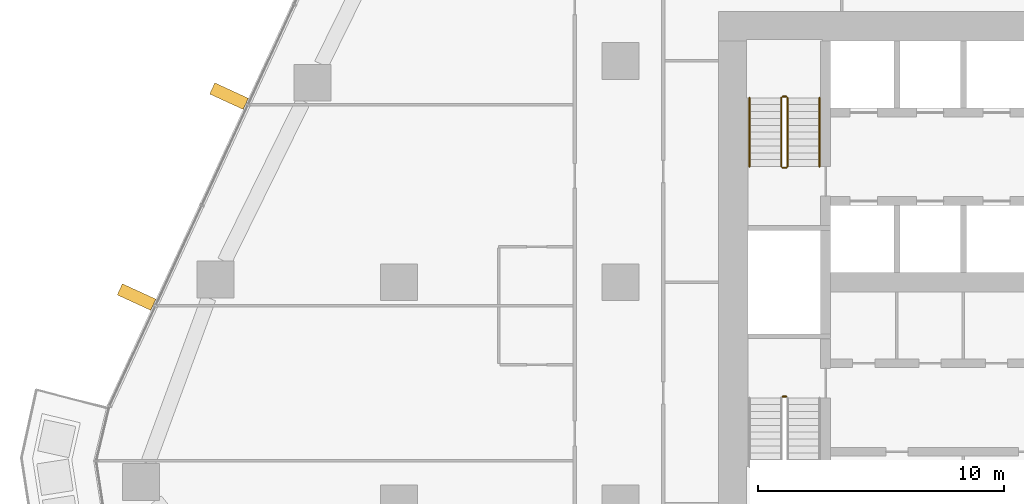
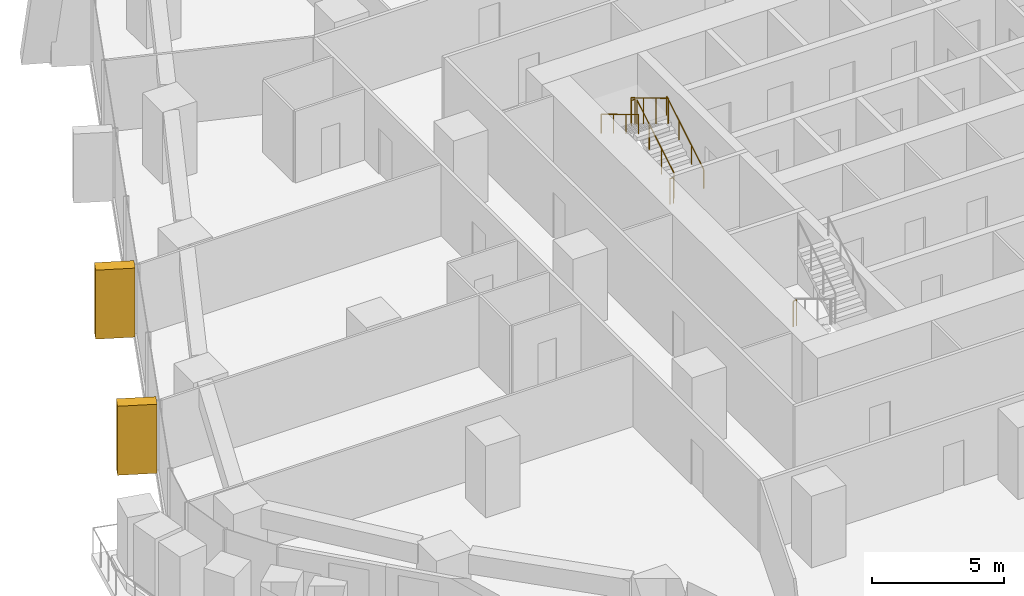
# One storey, part 23 of 26: 7 railings, 2 coverings, 1 element without a shape of its own.
"""IFC4 building model written with IfcOpenShell, lengths in metres."""

from ifc_helpers import new_model, si_unit, direction, frame, origin, origin_2d, place, context, subcontext, project, spatial, rectangle, circle, extrude, material, layer, layer_set, material_profile, profile_set, type_object, element, aggregate, save


model = new_model("IFC4")

# Units and contexts
model_context = context("Model", 3, precision=1e-05, world=origin(), true_north=direction((0.0, 1.0)))
body_context = subcontext(model_context, "Body", "Model", "MODEL_VIEW")
ifc_project = project(units=[si_unit("LENGTHUNIT", "METRE"), si_unit("AREAUNIT", "SQUARE_METRE"), si_unit("VOLUMEUNIT", "CUBIC_METRE"), si_unit("PLANEANGLEUNIT", "RADIAN"), si_unit("MASSUNIT", "GRAM", prefix="KILO")], contexts=[model_context])

# Site, building, storey
site_placement = place(None, origin())
site = spatial("IfcSite", under=ifc_project, at=site_placement, CompositionType="ELEMENT")
building_placement = place(site_placement, origin())
building = spatial("IfcBuilding", under=site, at=building_placement, Name="Dongbaek Canopy Tower", CompositionType="ELEMENT")
storey_placement = place(building_placement, frame((0.0, 0.0, 73.60009765625)))
storey = spatial("IfcBuildingStorey", under=building, at=storey_placement, Name="L14", CompositionType="ELEMENT", Elevation=73.60009765625)

# Curtain wall, coverings
ifc_material_1 = material(Name="Aluminium 6063-T6 pale anodised", Category="aluminium")
ifc_layer = layer(ifc_material_1, 0.199951171875)
ifc_layer_set = layer_set([ifc_layer], Name="CW-1 unitised tower curtain wall")
curtain_wall_type = type_object("IfcCurtainWallType", Name="CW-1 unitised tower curtain wall", PredefinedType="NOTDEFINED", material=ifc_layer_set)
curtain_wall_placement = place(storey_placement, origin())
curtain_wall = element("IfcCurtainWall", 1, at=curtain_wall_placement, inside=storey, type_object=curtain_wall_type, Name="CW-1 curtain wall F2.1", PredefinedType="NOTDEFINED")
ifc_material_2 = material(Name="Aluminium 6063-T6 pale metal fin", Category="aluminium")
ifc_material_profile = material_profile(ifc_material_2, rectangle(XDim=1.5, YDim=0.5, at=origin_2d()), Name="Fin FN1 500 x 1500 pale metal")
ifc_profile_set = profile_set([ifc_material_profile], Name="Aluminium 6063-T6 pale metal fin")
covering_type = type_object("IfcCoveringType", Name="Fin FN1 500 x 1500 pale metal", PredefinedType="CLADDING", material=ifc_profile_set)
covering_1_placement = place(storey_placement, frame((-33.913818359375, 7.56591796875, 0.119873046875), z_axis=(0.0, 0.0, 1.0), x_axis=(-0.908435687115, 0.418024643264, 0.0)))
covering_1 = element("IfcCovering", 2, at=covering_1_placement, type_object=covering_type, Name="Fin F2.1.7", PredefinedType="CLADDING", context=body_context, shape_type="SweptSolid", body=[
    extrude(rectangle(XDim=1.5, YDim=0.5, at=origin_2d()), origin(), (0.0, 0.0, 1.0), 3.179931640625),
])
covering_2_placement = place(storey_placement, frame((-37.67333984375, -0.603759765625, 0.119873046875), z_axis=(0.0, 0.0, 1.0), x_axis=(-0.908435687115, 0.418024643264, 0.0)))
covering_2 = element("IfcCovering", 3, at=covering_2_placement, type_object=covering_type, Name="Fin F2.1.9", PredefinedType="CLADDING", context=body_context, shape_type="SweptSolid", body=[
    extrude(rectangle(XDim=1.5, YDim=0.5, at=origin_2d()), origin(), (0.0, 0.0, 1.0), 3.179931640625),
])
aggregate(curtain_wall, [covering_1, covering_2])

# Railings
ifc_material_3 = material(Name="Stainless steel tube and balusters", Category="steel")
railing_type_1 = type_object("IfcRailingType", Name="Stair guard 1200", PredefinedType="GUARDRAIL", material=ifc_material_3)
railing_1_placement = place(storey_placement, frame((-11.199951171875, 4.699951171875, 0.16796875)))
element("IfcRailing", 4, at=railing_1_placement, inside=storey, type_object=railing_type_1, Name="L14 ST-C stair guard 1", PredefinedType="GUARDRAIL", context=body_context, shape_type="SweptSolid", body=[
    extrude(circle(Radius=0.02392578125, at=origin_2d()), frame((0.0, 0.0, 1.17578125), z_axis=(0.0, 0.857242210791, 0.514913383045), x_axis=(-1.0, 0.0, 0.0)), (0.0, 0.0, 1.0), 3.266357421875),
    extrude(circle(Radius=0.02099609375, at=origin_2d()), origin(), (0.0, 0.0, 1.0), 1.15185546875),
    extrude(circle(Radius=0.02099609375, at=origin_2d()), frame((0.0, 0.933349609375, 0.560546875)), (0.0, 0.0, 1.0), 1.15185546875),
    extrude(circle(Radius=0.02099609375, at=origin_2d()), frame((0.0, 1.86669921875, 1.121337890625)), (0.0, 0.0, 1.0), 1.15185546875),
    extrude(circle(Radius=0.02099609375, at=origin_2d()), frame((0.0, 2.800048828125, 1.681884765625)), (0.0, 0.0, 1.0), 1.15185546875),
])
railing_2_placement = place(storey_placement, frame((-11.25, 7.550048828125, 1.849853515625)))
element("IfcRailing", 5, at=railing_2_placement, inside=storey, type_object=railing_type_1, Name="L14 ST-C stair guard 2", PredefinedType="GUARDRAIL", context=body_context, shape_type="SweptSolid", body=[
    extrude(circle(Radius=0.02392578125, at=origin_2d()), frame((0.0, 0.0, 1.17578125), z_axis=(-1.0, 0.0, 0.0), x_axis=(0.0, -1.0, 0.0)), (0.0, 0.0, 1.0), 0.14990234375),
    extrude(circle(Radius=0.02099609375, at=origin_2d()), origin(), (0.0, 0.0, 1.0), 1.15185546875),
    extrude(circle(Radius=0.02099609375, at=origin_2d()), frame((-0.14990234375, 0.0, 0.0)), (0.0, 0.0, 1.0), 1.15185546875),
])
railing_3_placement = place(storey_placement, frame((-11.449951171875, 7.5, 2.01806640625)))
element("IfcRailing", 6, at=railing_3_placement, inside=storey, type_object=railing_type_1, Name="L14 ST-C stair guard 3", PredefinedType="GUARDRAIL", context=body_context, shape_type="SweptSolid", body=[
    extrude(circle(Radius=0.02392578125, at=origin_2d()), frame((0.0, 0.0, 1.17578125), z_axis=(0.0, -0.857242210791, 0.514913383045), x_axis=(1.0, 0.0, 0.0)), (0.0, 0.0, 1.0), 3.266357421875),
    extrude(circle(Radius=0.02099609375, at=origin_2d()), origin(), (0.0, 0.0, 1.0), 1.15185546875),
    extrude(circle(Radius=0.02099609375, at=origin_2d()), frame((0.0, -0.933349609375, 0.560546875)), (0.0, 0.0, 1.0), 1.15185546875),
    extrude(circle(Radius=0.02099609375, at=origin_2d()), frame((0.0, -1.86669921875, 1.121337890625)), (0.0, 0.0, 1.0), 1.15185546875),
    extrude(circle(Radius=0.02099609375, at=origin_2d()), frame((0.0, -2.800048828125, 1.681884765625)), (0.0, 0.0, 1.0), 1.15185546875),
])
railing_4_placement = place(storey_placement, frame((-11.25, 4.64990234375, 0.0)))
element("IfcRailing", 7, at=railing_4_placement, inside=storey, type_object=railing_type_1, Name="L14 ST-C stair guard 4", PredefinedType="GUARDRAIL", context=body_context, shape_type="SweptSolid", body=[
    extrude(circle(Radius=0.02392578125, at=origin_2d()), frame((0.0, 0.0, 1.17578125), z_axis=(-1.0, 0.0, 0.0), x_axis=(0.0, -1.0, 0.0)), (0.0, 0.0, 1.0), 0.14990234375),
    extrude(circle(Radius=0.02099609375, at=origin_2d()), origin(), (0.0, 0.0, 1.0), 1.15185546875),
    extrude(circle(Radius=0.02099609375, at=origin_2d()), frame((-0.14990234375, 0.0, 0.0)), (0.0, 0.0, 1.0), 1.15185546875),
])
railing_5_placement = place(storey_placement, frame((-11.39990234375, -4.64990234375, 0.0)))
element("IfcRailing", 8, at=railing_5_placement, inside=storey, type_object=railing_type_1, Name="L14 ST-D stair guard 4", PredefinedType="GUARDRAIL", context=body_context, shape_type="SweptSolid", body=[
    extrude(circle(Radius=0.02392578125, at=origin_2d()), frame((0.0, 0.0, 1.17578125), z_axis=(1.0, 0.0, 0.0), x_axis=(0.0, 1.0, 0.0)), (0.0, 0.0, 1.0), 0.14990234375),
    extrude(circle(Radius=0.02099609375, at=origin_2d()), origin(), (0.0, 0.0, 1.0), 1.15185546875),
    extrude(circle(Radius=0.02099609375, at=origin_2d()), frame((0.14990234375, 0.0, 0.0)), (0.0, 0.0, 1.0), 1.15185546875),
])
ifc_material_4 = material(Name="Stainless steel tube", Category="steel")
railing_type_2 = type_object("IfcRailingType", Name="Stair handrail 900", PredefinedType="HANDRAIL", material=ifc_material_4)
railing_6_placement = place(storey_placement, frame((-9.89990234375, 4.699951171875, 0.16796875)))
element("IfcRailing", 9, at=railing_6_placement, inside=storey, type_object=railing_type_2, Name="L14 ST-C stair handrail 1", PredefinedType="HANDRAIL", context=body_context, shape_type="SweptSolid", body=[
    extrude(circle(Radius=0.02392578125, at=origin_2d()), frame((0.0, 0.0, 0.8759765625), z_axis=(0.0, 0.857242210791, 0.514913383045), x_axis=(-1.0, 0.0, 0.0)), (0.0, 0.0, 1.0), 3.266357421875),
    extrude(circle(Radius=0.02099609375, at=origin_2d()), origin(), (0.0, 0.0, 1.0), 0.851806640625),
    extrude(circle(Radius=0.02099609375, at=origin_2d()), frame((0.0, 0.933349609375, 0.560546875)), (0.0, 0.0, 1.0), 0.851806640625),
    extrude(circle(Radius=0.02099609375, at=origin_2d()), frame((0.0, 1.86669921875, 1.121337890625)), (0.0, 0.0, 1.0), 0.851806640625),
    extrude(circle(Radius=0.02099609375, at=origin_2d()), frame((0.0, 2.800048828125, 1.681884765625)), (0.0, 0.0, 1.0), 0.851806640625),
])
railing_7_placement = place(storey_placement, frame((-12.75, 7.5, 2.01806640625)))
element("IfcRailing", 10, at=railing_7_placement, inside=storey, type_object=railing_type_2, Name="L14 ST-C stair handrail 2", PredefinedType="HANDRAIL", context=body_context, shape_type="SweptSolid", body=[
    extrude(circle(Radius=0.02392578125, at=origin_2d()), frame((0.0, 0.0, 0.8759765625), z_axis=(0.0, -0.857242210791, 0.514913383045), x_axis=(1.0, 0.0, 0.0)), (0.0, 0.0, 1.0), 3.266357421875),
    extrude(circle(Radius=0.02099609375, at=origin_2d()), origin(), (0.0, 0.0, 1.0), 0.851806640625),
    extrude(circle(Radius=0.02099609375, at=origin_2d()), frame((0.0, -0.933349609375, 0.560546875)), (0.0, 0.0, 1.0), 0.851806640625),
    extrude(circle(Radius=0.02099609375, at=origin_2d()), frame((0.0, -1.86669921875, 1.121337890625)), (0.0, 0.0, 1.0), 0.851806640625),
    extrude(circle(Radius=0.02099609375, at=origin_2d()), frame((0.0, -2.800048828125, 1.681884765625)), (0.0, 0.0, 1.0), 0.851806640625),
])

save(model, "model.ifc")
